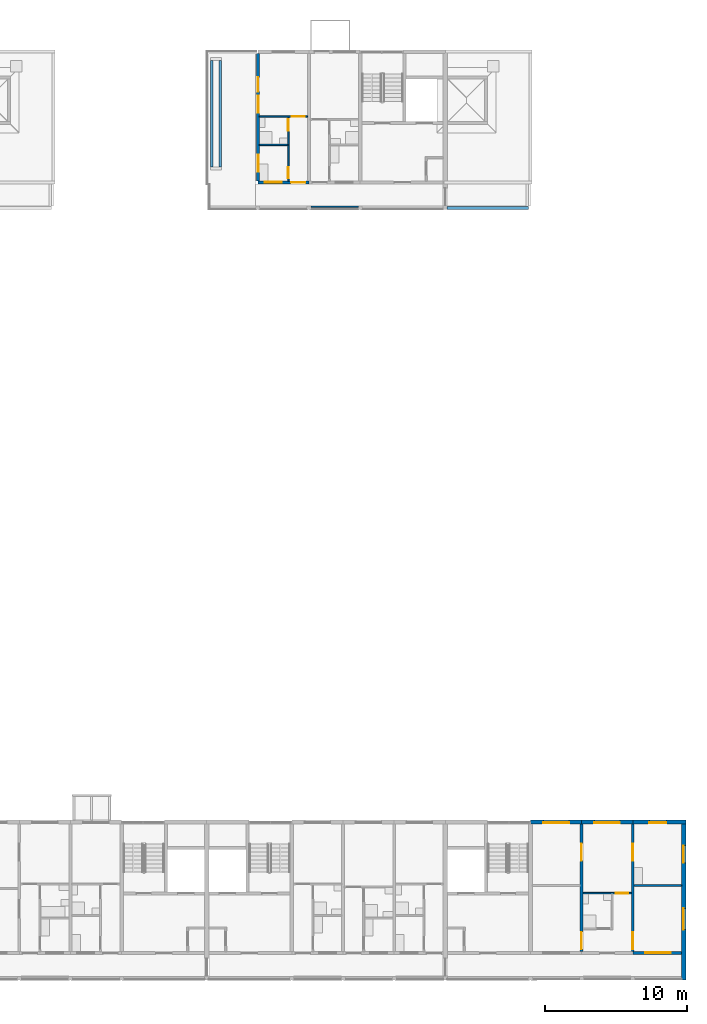
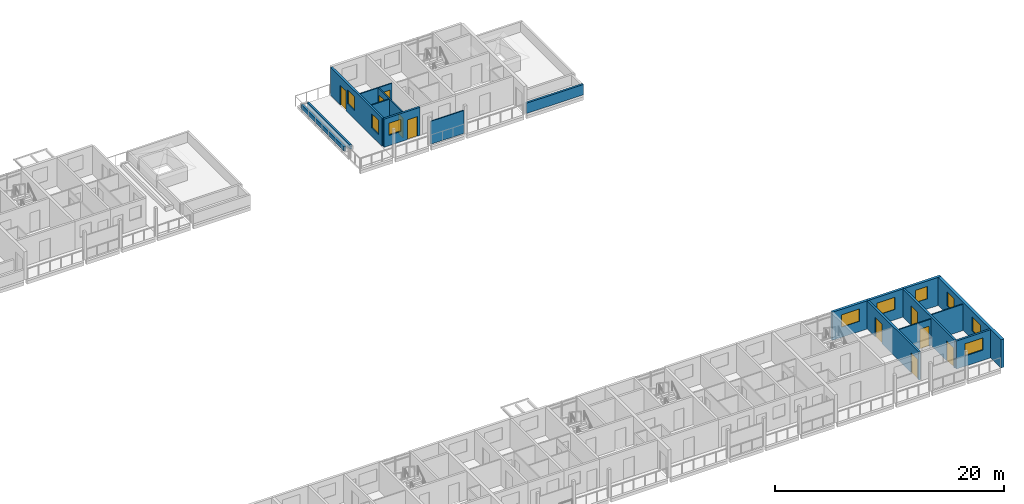
# One storey, part 48 of 78: 18 walls, 10 doors, 9 windows, 19 openings.
"""IFC4 building model written with IfcOpenShell, lengths in metres."""

from ifc_helpers import new_model, si_unit, direction, frame, frame_2d, origin, place, context, subcontext, project, spatial, rectangle, extrude, material, layer, layer_set, type_object, element, fill, save


model = new_model("IFC4")

# Units and contexts
model_context = context("Model", 3, precision=1e-05, world=origin(), true_north=direction((0.0, 1.0)))
body_context = subcontext(model_context, "Body", "Model", "MODEL_VIEW")
ifc_project = project(units=[si_unit("LENGTHUNIT", "METRE"), si_unit("AREAUNIT", "SQUARE_METRE"), si_unit("VOLUMEUNIT", "CUBIC_METRE"), si_unit("PLANEANGLEUNIT", "RADIAN"), si_unit("MASSUNIT", "GRAM", prefix="KILO")], contexts=[model_context])

# Site, building, storey
site_placement = place(None, origin())
site = spatial("IfcSite", under=ifc_project, at=site_placement, CompositionType="ELEMENT")
building_placement = place(site_placement, origin())
building = spatial("IfcBuilding", under=site, at=building_placement, Name="Ridgestep Commons", CompositionType="ELEMENT")
storey_placement = place(building_placement, frame((0.0, 0.0, 30.0)))
storey = spatial("IfcBuildingStorey", under=building, at=storey_placement, Name="L10", CompositionType="ELEMENT", Elevation=30.0)

# Wall, openings, doors
ifc_material_1 = material(Name="Precast concrete C40/50", Category="concrete")
ifc_layer_1 = layer(ifc_material_1, 0.199951171875)
ifc_layer_set_1 = layer_set([ifc_layer_1], Name="Cross wall 200")
wall_type_1 = type_object("IfcWallType", Name="Cross wall 200", PredefinedType="SHEAR", material=ifc_layer_set_1)
wall_1_placement = place(storey_placement, frame((240.39990234375, 13.75, 0.0), z_axis=(0.0, 0.0, 1.0), x_axis=(0.0, 1.0, 0.0)))
wall_1 = element("IfcWall", 1, at=wall_1_placement, inside=storey, type_object=wall_type_1, Name="Cross wall D-10-2404", PredefinedType="SHEAR", context=body_context, shape_type="SweptSolid", body=[
    extrude(rectangle(XDim=9.0, YDim=0.199951171875, at=frame_2d((4.5, 0.0))), origin(), (0.0, 0.0, 1.0), 3.0),
])
opening_1_placement = place(wall_1_placement, frame((0.175048828125, 0.0, 0.0)))
opening_1 = element("IfcOpeningElement", 2, at=opening_1_placement, cuts=wall_1, Name="Opening D6-10a/4", PredefinedType="OPENING", context=body_context, shape_type="SweptSolid", body=[
    extrude(rectangle(XDim=1.199951171875, YDim=2.10009765625, at=frame_2d((0.60009765625, 1.050048828125))), frame((0.0, 0.10986328125, 0.0), z_axis=(0.0, -1.0, 0.0), x_axis=(1.0, 0.0, 0.0)), (0.0, 0.0, 1.0), 0.219970703125),
])
opening_2_placement = place(wall_1_placement, frame((6.39990234375, 0.0, 0.0)))
opening_2 = element("IfcOpeningElement", 3, at=opening_2_placement, cuts=wall_1, Name="Opening D6-10a/5", PredefinedType="OPENING", context=body_context, shape_type="SweptSolid", body=[
    extrude(rectangle(XDim=1.199951171875, YDim=2.10009765625, at=frame_2d((0.60009765625, 1.050048828125))), frame((0.0, 0.10986328125, 0.0), z_axis=(0.0, -1.0, 0.0), x_axis=(1.0, 0.0, 0.0)), (0.0, 0.0, 1.0), 0.219970703125),
])
ifc_material_2 = material(Name="Timber door leaf", Category="wood")
door_type_1 = type_object("IfcDoorType", Name="Double door 1200 x 2100", OperationType="DOUBLE_DOOR_SINGLE_SWING", PredefinedType="DOOR", material=ifc_material_2)
door_1_placement = place(opening_1_placement, origin())
door_1 = element("IfcDoor", 4, at=door_1_placement, inside=storey, type_object=door_type_1, Name="Double door D6-10a/4", OperationType="DOUBLE_DOOR_SINGLE_SWING", OverallHeight=2.10009765625, OverallWidth=1.199951171875, PredefinedType="DOOR", context=body_context, shape_type="SweptSolid", body=[
    extrude(rectangle(XDim=1.199951171875, YDim=2.10009765625, at=frame_2d((0.60009765625, 1.050048828125))), frame((0.0, 0.02490234375, 0.0), z_axis=(0.0, -1.0, 0.0), x_axis=(1.0, 0.0, 0.0)), (0.0, 0.0, 1.0), 0.050048828125),
])
fill(opening_1, door_1)
door_2_placement = place(opening_2_placement, origin())
door_2 = element("IfcDoor", 5, at=door_2_placement, inside=storey, type_object=door_type_1, Name="Double door D6-10a/5", OperationType="DOUBLE_DOOR_SINGLE_SWING", OverallHeight=2.10009765625, OverallWidth=1.199951171875, PredefinedType="DOOR", context=body_context, shape_type="SweptSolid", body=[
    extrude(rectangle(XDim=1.199951171875, YDim=2.10009765625, at=frame_2d((0.60009765625, 1.050048828125))), frame((0.0, 0.02490234375, 0.0), z_axis=(0.0, -1.0, 0.0), x_axis=(1.0, 0.0, 0.0)), (0.0, 0.0, 1.0), 0.050048828125),
])
fill(opening_2, door_2)

wall_2_placement = place(storey_placement, frame((244.0, 13.75, 0.0), z_axis=(0.0, 0.0, 1.0), x_axis=(0.0, 1.0, 0.0)))
wall_2 = element("IfcWall", 6, at=wall_2_placement, inside=storey, type_object=wall_type_1, Name="Cross wall D-10-2440", PredefinedType="SHEAR", context=body_context, shape_type="SweptSolid", body=[
    extrude(rectangle(XDim=9.0, YDim=0.199951171875, at=frame_2d((4.5, 0.0))), origin(), (0.0, 0.0, 1.0), 3.0),
])
opening_3_placement = place(wall_2_placement, frame((0.175048828125, 0.0, 0.0)))
opening_3 = element("IfcOpeningElement", 7, at=opening_3_placement, cuts=wall_2, Name="Opening D6-10a/6", PredefinedType="OPENING", context=body_context, shape_type="SweptSolid", body=[
    extrude(rectangle(XDim=1.199951171875, YDim=2.10009765625, at=frame_2d((0.60009765625, 1.050048828125))), frame((0.0, 0.10986328125, 0.0), z_axis=(0.0, -1.0, 0.0), x_axis=(1.0, 0.0, 0.0)), (0.0, 0.0, 1.0), 0.219970703125),
])
opening_4_placement = place(wall_2_placement, frame((6.39990234375, 0.0, 0.0)))
opening_4 = element("IfcOpeningElement", 8, at=opening_4_placement, cuts=wall_2, Name="Opening D6-10a/7", PredefinedType="OPENING", context=body_context, shape_type="SweptSolid", body=[
    extrude(rectangle(XDim=1.199951171875, YDim=2.10009765625, at=frame_2d((0.60009765625, 1.050048828125))), frame((0.0, 0.10986328125, 0.0), z_axis=(0.0, -1.0, 0.0), x_axis=(1.0, 0.0, 0.0)), (0.0, 0.0, 1.0), 0.219970703125),
])
door_3_placement = place(opening_3_placement, origin())
door_3 = element("IfcDoor", 9, at=door_3_placement, inside=storey, type_object=door_type_1, Name="Double door D6-10a/6", OperationType="DOUBLE_DOOR_SINGLE_SWING", OverallHeight=2.10009765625, OverallWidth=1.199951171875, PredefinedType="DOOR", context=body_context, shape_type="SweptSolid", body=[
    extrude(rectangle(XDim=1.199951171875, YDim=2.10009765625, at=frame_2d((0.60009765625, 1.050048828125))), frame((0.0, 0.02490234375, 0.0), z_axis=(0.0, -1.0, 0.0), x_axis=(1.0, 0.0, 0.0)), (0.0, 0.0, 1.0), 0.050048828125),
])
fill(opening_3, door_3)
door_4_placement = place(opening_4_placement, origin())
door_4 = element("IfcDoor", 10, at=door_4_placement, inside=storey, type_object=door_type_1, Name="Double door D6-10a/7", OperationType="DOUBLE_DOOR_SINGLE_SWING", OverallHeight=2.10009765625, OverallWidth=1.199951171875, PredefinedType="DOOR", context=body_context, shape_type="SweptSolid", body=[
    extrude(rectangle(XDim=1.199951171875, YDim=2.10009765625, at=frame_2d((0.60009765625, 1.050048828125))), frame((0.0, 0.02490234375, 0.0), z_axis=(0.0, -1.0, 0.0), x_axis=(1.0, 0.0, 0.0)), (0.0, 0.0, 1.0), 0.050048828125),
])
fill(opening_4, door_4)

# Wall, openings, windows, door
ifc_material_3 = material(Name="Precast concrete C40/50", Category="concrete")
ifc_layer_2 = layer(ifc_material_3, 0.199951171875)
ifc_layer_set_2 = layer_set([ifc_layer_2], Name="Exposed cross wall 200")
wall_type_2 = type_object("IfcWallType", Name="Exposed cross wall 200", PredefinedType="SHEAR", material=ifc_layer_set_2)
wall_3_placement = place(storey_placement, frame((217.60009765625, 68.0, 0.0), z_axis=(0.0, 0.0, 1.0), x_axis=(0.0, 1.0, 0.0)))
wall_3 = element("IfcWall", 11, at=wall_3_placement, inside=storey, type_object=wall_type_2, Name="Cross wall C-10-2176", PredefinedType="SHEAR", context=body_context, shape_type="SweptSolid", body=[
    extrude(rectangle(XDim=9.0, YDim=0.199951171875, at=frame_2d((4.5, 0.0))), origin(), (0.0, 0.0, 1.0), 3.0),
])
opening_5_placement = place(wall_3_placement, frame((0.64990234375, 0.0, 0.89990234375)))
opening_5 = element("IfcOpeningElement", 12, at=opening_5_placement, cuts=wall_3, Name="Opening W10", PredefinedType="OPENING", context=body_context, shape_type="SweptSolid", body=[
    extrude(rectangle(XDim=1.199951171875, YDim=1.5, at=frame_2d((0.60009765625, 0.75))), frame((0.0, 0.10986328125, 0.0), z_axis=(0.0, -1.0, 0.0), x_axis=(1.0, 0.0, 0.0)), (0.0, 0.0, 1.0), 0.219970703125),
])
opening_6_placement = place(wall_3_placement, frame((4.8076171875, 0.0, 0.89990234375)))
opening_6 = element("IfcOpeningElement", 13, at=opening_6_placement, cuts=wall_3, Name="Opening W10", PredefinedType="OPENING", context=body_context, shape_type="SweptSolid", body=[
    extrude(rectangle(XDim=1.199951171875, YDim=1.5, at=frame_2d((0.60009765625, 0.75))), frame((0.0, 0.10986328125, 0.0), z_axis=(0.0, -1.0, 0.0), x_axis=(1.0, 0.0, 0.0)), (0.0, 0.0, 1.0), 0.219970703125),
])
opening_7_placement = place(wall_3_placement, frame((6.304931640625, 0.0, 0.0)))
opening_7 = element("IfcOpeningElement", 14, at=opening_7_placement, cuts=wall_3, Name="Opening C5-10a/5", PredefinedType="OPENING", context=body_context, shape_type="SweptSolid", body=[
    extrude(rectangle(XDim=1.0, YDim=2.10009765625, at=frame_2d((0.5, 1.050048828125))), frame((0.0, 0.10986328125, 0.0), z_axis=(0.0, -1.0, 0.0), x_axis=(1.0, 0.0, 0.0)), (0.0, 0.0, 1.0), 0.219970703125),
])
ifc_material_4 = material(Name="Aluminium 6063-T6 and glass", Category="aluminium")
window_type_1 = type_object("IfcWindowType", Name="Flat window 1200 x 1500", PartitioningType="SINGLE_PANEL", PredefinedType="WINDOW", material=ifc_material_4)
window_1_placement = place(opening_5_placement, origin())
window_1 = element("IfcWindow", 15, at=window_1_placement, inside=storey, type_object=window_type_1, Name="Window C5-10a 3", OverallHeight=1.5, OverallWidth=1.199951171875, PartitioningType="SINGLE_PANEL", PredefinedType="WINDOW", context=body_context, shape_type="SweptSolid", body=[
    extrude(rectangle(XDim=1.199951171875, YDim=1.5, at=frame_2d((0.60009765625, 0.75))), frame((0.0, 0.0, 0.0), z_axis=(0.0, -1.0, 0.0), x_axis=(1.0, 0.0, 0.0)), (0.0, 0.0, 1.0), 0.06005859375),
])
fill(opening_5, window_1)
window_2_placement = place(opening_6_placement, origin())
window_2 = element("IfcWindow", 16, at=window_2_placement, inside=storey, type_object=window_type_1, Name="Window C5-10a 4", OverallHeight=1.5, OverallWidth=1.199951171875, PartitioningType="SINGLE_PANEL", PredefinedType="WINDOW", context=body_context, shape_type="SweptSolid", body=[
    extrude(rectangle(XDim=1.199951171875, YDim=1.5, at=frame_2d((0.60009765625, 0.75))), frame((0.0, 0.0, 0.0), z_axis=(0.0, -1.0, 0.0), x_axis=(1.0, 0.0, 0.0)), (0.0, 0.0, 1.0), 0.06005859375),
])
fill(opening_6, window_2)
ifc_material_5 = material(Name="Aluminium and glass", Category="aluminium")
door_type_2 = type_object("IfcDoorType", Name="Terrace door 1000 x 2100", OperationType="NOTDEFINED", PredefinedType="DOOR", material=ifc_material_5)
door_5_placement = place(opening_7_placement, origin())
door_5 = element("IfcDoor", 17, at=door_5_placement, inside=storey, type_object=door_type_2, Name="Terrace door C5-10a/5", OperationType="SINGLE_SWING_RIGHT", OverallHeight=2.10009765625, OverallWidth=1.0, PredefinedType="DOOR", context=body_context, shape_type="SweptSolid", body=[
    extrude(rectangle(XDim=1.0, YDim=2.10009765625, at=frame_2d((0.5, 1.050048828125))), frame((0.0, 0.02490234375, 0.0), z_axis=(0.0, -1.0, 0.0), x_axis=(1.0, 0.0, 0.0)), (0.0, 0.0, 1.0), 0.050048828125),
])
fill(opening_7, door_5)

# Wall, openings, windows
ifc_material_6 = material(Name="Precast concrete C40/50", Category="concrete")
ifc_layer_3 = layer(ifc_material_6, 0.300048828125)
ifc_layer_set_3 = layer_set([ifc_layer_3], Name="Exposed division wall 300")
wall_type_3 = type_object("IfcWallType", Name="Exposed division wall 300", PredefinedType="SHEAR", material=ifc_layer_set_3)
wall_4_placement = place(storey_placement, frame((247.60009765625, 11.75, 0.0), z_axis=(0.0, 0.0, 1.0), x_axis=(0.0, 1.0, 0.0)))
wall_4 = element("IfcWall", 18, at=wall_4_placement, inside=storey, type_object=wall_type_3, Name="Cross wall D-10-2476", PredefinedType="SHEAR", context=body_context, shape_type="SweptSolid", body=[
    extrude(rectangle(XDim=11.0, YDim=0.300048828125, at=frame_2d((5.5, 0.0))), origin(), (0.0, 0.0, 1.0), 3.0),
])
opening_8_placement = place(wall_4_placement, frame((3.550048828125, 0.0, 0.89990234375)))
opening_8 = element("IfcOpeningElement", 19, at=opening_8_placement, cuts=wall_4, Name="Opening W16", PredefinedType="OPENING", context=body_context, shape_type="SweptSolid", body=[
    extrude(rectangle(XDim=1.5, YDim=1.5, at=frame_2d((0.75, 0.75))), frame((0.0, 0.159912109375, 0.0), z_axis=(0.0, -1.0, 0.0), x_axis=(1.0, 0.0, 0.0)), (0.0, 0.0, 1.0), 0.320068359375),
])
opening_9_placement = place(wall_4_placement, frame((8.2548828125, 0.0, 0.89990234375)))
opening_9 = element("IfcOpeningElement", 20, at=opening_9_placement, cuts=wall_4, Name="Opening W10", PredefinedType="OPENING", context=body_context, shape_type="SweptSolid", body=[
    extrude(rectangle(XDim=1.199951171875, YDim=1.5, at=frame_2d((0.60009765625, 0.75))), frame((0.0, 0.159912109375, 0.0), z_axis=(0.0, -1.0, 0.0), x_axis=(1.0, 0.0, 0.0)), (0.0, 0.0, 1.0), 0.320068359375),
])
window_3_placement = place(opening_9_placement, origin())
window_3 = element("IfcWindow", 21, at=window_3_placement, inside=storey, type_object=window_type_1, Name="Window D6-10a 7", OverallHeight=1.5, OverallWidth=1.199951171875, PartitioningType="SINGLE_PANEL", PredefinedType="WINDOW", context=body_context, shape_type="SweptSolid", body=[
    extrude(rectangle(XDim=1.199951171875, YDim=1.5, at=frame_2d((0.60009765625, 0.75))), frame((0.0, 0.06005859375, 0.0), z_axis=(0.0, -1.0, 0.0), x_axis=(1.0, 0.0, 0.0)), (0.0, 0.0, 1.0), 0.06005859375),
])
fill(opening_9, window_3)
ifc_material_7 = material(Name="Aluminium 6063-T6 and glass", Category="aluminium")
window_type_2 = type_object("IfcWindowType", Name="Flat window 1500 x 1500", PartitioningType="DOUBLE_PANEL_VERTICAL", PredefinedType="WINDOW", material=ifc_material_7)
window_4_placement = place(opening_8_placement, origin())
window_4 = element("IfcWindow", 22, at=window_4_placement, inside=storey, type_object=window_type_2, Name="Window D6-10a 6", OverallHeight=1.5, OverallWidth=1.5, PartitioningType="SINGLE_PANEL", PredefinedType="WINDOW", context=body_context, shape_type="SweptSolid", body=[
    extrude(rectangle(XDim=1.5, YDim=1.5, at=frame_2d((0.75, 0.75))), frame((0.0, 0.06005859375, 0.0), z_axis=(0.0, -1.0, 0.0), x_axis=(1.0, 0.0, 0.0)), (0.0, 0.0, 1.0), 0.06005859375),
])
fill(opening_8, window_4)

# Wall, opening, window
ifc_material_8 = material(Name="Precast concrete C40/50", Category="concrete")
ifc_layer_4 = layer(ifc_material_8, 0.25)
ifc_layer_set_4 = layer_set([ifc_layer_4], Name="North facade panel 250")
wall_type_4 = type_object("IfcWallType", Name="North facade panel 250", PredefinedType="SOLIDWALL", material=ifc_layer_set_4)
wall_5_placement = place(storey_placement, frame((236.800048828125, 22.875, 0.0), z_axis=(0.0, 0.0, 1.0), x_axis=(1.0, 0.0, 0.0)))
wall_5 = element("IfcWall", 23, at=wall_5_placement, inside=storey, type_object=wall_type_4, Name="North panel D6T3 L10", PredefinedType="SOLIDWALL", context=body_context, shape_type="SweptSolid", body=[
    extrude(rectangle(XDim=3.599853515625, YDim=0.25, at=frame_2d((1.7998046875, 0.0))), origin(), (0.0, 0.0, 1.0), 3.0),
])
opening_10_placement = place(wall_5_placement, frame((0.91259765625, 0.0, 1.10009765625)))
opening_10 = element("IfcOpeningElement", 24, at=opening_10_placement, cuts=wall_5, Name="Opening W18", PredefinedType="OPENING", context=body_context, shape_type="SweptSolid", body=[
    extrude(rectangle(XDim=1.800048828125, YDim=1.300048828125, at=frame_2d((0.89990234375, 0.64990234375))), frame((0.0, 0.135009765625, 0.0), z_axis=(0.0, -1.0, 0.0), x_axis=(1.0, 0.0, 0.0)), (0.0, 0.0, 1.0), 0.27001953125),
])
ifc_material_9 = material(Name="Aluminium 6063-T6 and glass", Category="aluminium")
window_type_3 = type_object("IfcWindowType", Name="Flat window 1800 x 1300", PartitioningType="DOUBLE_PANEL_VERTICAL", PredefinedType="WINDOW", material=ifc_material_9)
window_5_placement = place(opening_10_placement, origin())
window_5 = element("IfcWindow", 25, at=window_5_placement, inside=storey, type_object=window_type_3, Name="Window D6-10a 2", OverallHeight=1.300048828125, OverallWidth=1.800048828125, PartitioningType="SINGLE_PANEL", PredefinedType="WINDOW", context=body_context, shape_type="SweptSolid", body=[
    extrude(rectangle(XDim=1.800048828125, YDim=1.300048828125, at=frame_2d((0.89990234375, 0.64990234375))), frame((0.0, -0.02490234375, 0.0), z_axis=(0.0, -1.0, 0.0), x_axis=(1.0, 0.0, 0.0)), (0.0, 0.0, 1.0), 0.06005859375),
])
fill(opening_10, window_5)

wall_6_placement = place(storey_placement, frame((240.39990234375, 22.875, 0.0), z_axis=(0.0, 0.0, 1.0), x_axis=(1.0, 0.0, 0.0)))
wall_6 = element("IfcWall", 26, at=wall_6_placement, inside=storey, type_object=wall_type_4, Name="North panel D6T2 L10", PredefinedType="SOLIDWALL", context=body_context, shape_type="SweptSolid", body=[
    extrude(rectangle(XDim=3.60009765625, YDim=0.25, at=frame_2d((1.800048828125, 0.0))), origin(), (0.0, 0.0, 1.0), 3.0),
])
opening_11_placement = place(wall_6_placement, frame((0.89990234375, 0.0, 1.10009765625)))
opening_11 = element("IfcOpeningElement", 27, at=opening_11_placement, cuts=wall_6, Name="Opening W18", PredefinedType="OPENING", context=body_context, shape_type="SweptSolid", body=[
    extrude(rectangle(XDim=1.800048828125, YDim=1.300048828125, at=frame_2d((0.89990234375, 0.64990234375))), frame((0.0, 0.135009765625, 0.0), z_axis=(0.0, -1.0, 0.0), x_axis=(1.0, 0.0, 0.0)), (0.0, 0.0, 1.0), 0.27001953125),
])
window_6_placement = place(opening_11_placement, origin())
window_6 = element("IfcWindow", 28, at=window_6_placement, inside=storey, type_object=window_type_3, Name="Window D6-10a 5", OverallHeight=1.300048828125, OverallWidth=1.800048828125, PartitioningType="SINGLE_PANEL", PredefinedType="WINDOW", context=body_context, shape_type="SweptSolid", body=[
    extrude(rectangle(XDim=1.800048828125, YDim=1.300048828125, at=frame_2d((0.89990234375, 0.64990234375))), frame((0.0, -0.02490234375, 0.0), z_axis=(0.0, -1.0, 0.0), x_axis=(1.0, 0.0, 0.0)), (0.0, 0.0, 1.0), 0.06005859375),
])
fill(opening_11, window_6)

wall_7_placement = place(storey_placement, frame((244.0, 22.875, 0.0), z_axis=(0.0, 0.0, 1.0), x_axis=(1.0, 0.0, 0.0)))
wall_7 = element("IfcWall", 29, at=wall_7_placement, inside=storey, type_object=wall_type_4, Name="North panel D6T1 L10", PredefinedType="SOLIDWALL", context=body_context, shape_type="SweptSolid", body=[
    extrude(rectangle(XDim=3.75, YDim=0.25, at=frame_2d((1.875, 0.0))), origin(), (0.0, 0.0, 1.0), 3.0),
])
opening_12_placement = place(wall_7_placement, frame((1.175048828125, 0.0, 1.10009765625)))
opening_12 = element("IfcOpeningElement", 30, at=opening_12_placement, cuts=wall_7, Name="Opening W08", PredefinedType="OPENING", context=body_context, shape_type="SweptSolid", body=[
    extrude(rectangle(XDim=1.199951171875, YDim=1.300048828125, at=frame_2d((0.60009765625, 0.64990234375))), frame((0.0, 0.135009765625, 0.0), z_axis=(0.0, -1.0, 0.0), x_axis=(1.0, 0.0, 0.0)), (0.0, 0.0, 1.0), 0.27001953125),
])
ifc_material_10 = material(Name="Aluminium 6063-T6 and glass", Category="aluminium")
window_type_4 = type_object("IfcWindowType", Name="Flat window 1200 x 1300", PartitioningType="SINGLE_PANEL", PredefinedType="WINDOW", material=ifc_material_10)
window_7_placement = place(opening_12_placement, origin())
window_7 = element("IfcWindow", 31, at=window_7_placement, inside=storey, type_object=window_type_4, Name="Window D6-10a 4", OverallHeight=1.300048828125, OverallWidth=1.199951171875, PartitioningType="SINGLE_PANEL", PredefinedType="WINDOW", context=body_context, shape_type="SweptSolid", body=[
    extrude(rectangle(XDim=1.199951171875, YDim=1.300048828125, at=frame_2d((0.60009765625, 0.64990234375))), frame((0.0, -0.02490234375, 0.0), z_axis=(0.0, -1.0, 0.0), x_axis=(1.0, 0.0, 0.0)), (0.0, 0.0, 1.0), 0.06005859375),
])
fill(opening_12, window_7)

# Walls
ifc_material_11 = material(Name="Precast concrete C40/50", Category="concrete")
ifc_layer_5 = layer(ifc_material_11, 0.199951171875)
ifc_layer_set_5 = layer_set([ifc_layer_5], Name="Parapet wall 200")
wall_type_5 = type_object("IfcWallType", Name="Parapet wall 200", PredefinedType="PARAPET", material=ifc_layer_set_5)
wall_8_placement = place(storey_placement, frame((230.925048828125, 66.125, 0.0), z_axis=(0.0, 0.0, 1.0), x_axis=(1.0, 0.0, 0.0)))
element("IfcWall", 32, at=wall_8_placement, inside=storey, type_object=wall_type_5, Name="Parapet C6C gallery south", PredefinedType="PARAPET", context=body_context, shape_type="SweptSolid", body=[
    extrude(rectangle(XDim=5.75, YDim=0.199951171875, at=frame_2d((2.875, 0.0))), origin(), (0.0, 0.0, 1.0), 1.10009765625),
])
ifc_material_12 = material(Name="Common brick 110 mm", Category="masonry")
ifc_layer_6 = layer(ifc_material_12, 0.110107421875)
ifc_layer_set_6 = layer_set([ifc_layer_6], Name="Partition 110")
wall_type_6 = type_object("IfcWallType", Name="Partition 110", PredefinedType="PARTITIONING", material=ifc_layer_set_6)
wall_9_placement = place(storey_placement, frame((217.699951171875, 70.554931640625, 0.0), z_axis=(0.0, 0.0, 1.0), x_axis=(1.0, 0.0, 0.0)))
element("IfcWall", 33, at=wall_9_placement, inside=storey, type_object=wall_type_6, Name="Partition C5-10a", PredefinedType="PARTITIONING", context=body_context, shape_type="SweptSolid", body=[
    extrude(rectangle(XDim=1.989990234375, YDim=0.110107421875, at=frame_2d((0.9951171875, 0.0))), origin(), (0.0, 0.0, 1.0), 2.75),
])

# Wall, openings, doors
wall_10_placement = place(storey_placement, frame((219.7451171875, 68.0, 0.0), z_axis=(0.0, 0.0, 1.0), x_axis=(0.0, 1.0, 0.0)))
wall_10 = element("IfcWall", 34, at=wall_10_placement, inside=storey, type_object=wall_type_6, Name="Partition C5-10a", PredefinedType="PARTITIONING", context=body_context, shape_type="SweptSolid", body=[
    extrude(rectangle(XDim=4.5, YDim=0.110107421875, at=frame_2d((2.25, 0.0))), origin(), (0.0, 0.0, 1.0), 2.75),
])
opening_13_placement = place(wall_10_placement, frame((0.199951171875, 0.0, 0.0)))
opening_13 = element("IfcOpeningElement", 35, at=opening_13_placement, cuts=wall_10, Name="Opening C5-10a/2", PredefinedType="OPENING", context=body_context, shape_type="SweptSolid", body=[
    extrude(rectangle(XDim=0.800048828125, YDim=2.10009765625, at=frame_2d((0.39990234375, 1.050048828125))), frame((0.0, 0.06494140625, 0.0), z_axis=(0.0, -1.0, 0.0), x_axis=(1.0, 0.0, 0.0)), (0.0, 0.0, 1.0), 0.130126953125),
])
opening_14_placement = place(wall_10_placement, frame((3.550048828125, 0.0, 0.0)))
opening_14 = element("IfcOpeningElement", 36, at=opening_14_placement, cuts=wall_10, Name="Opening C5-10a/3", PredefinedType="OPENING", context=body_context, shape_type="SweptSolid", body=[
    extrude(rectangle(XDim=0.800048828125, YDim=2.10009765625, at=frame_2d((0.39990234375, 1.050048828125))), frame((0.0, 0.06494140625, 0.0), z_axis=(0.0, -1.0, 0.0), x_axis=(1.0, 0.0, 0.0)), (0.0, 0.0, 1.0), 0.130126953125),
])
ifc_material_13 = material(Name="Timber door leaf", Category="wood")
door_type_3 = type_object("IfcDoorType", Name="Internal door 800 x 2100", OperationType="NOTDEFINED", PredefinedType="DOOR", material=ifc_material_13)
door_6_placement = place(opening_13_placement, origin())
door_6 = element("IfcDoor", 37, at=door_6_placement, inside=storey, type_object=door_type_3, Name="Internal door C5-10a/2", OperationType="SINGLE_SWING_LEFT", OverallHeight=2.10009765625, OverallWidth=0.800048828125, PredefinedType="DOOR", context=body_context, shape_type="SweptSolid", body=[
    extrude(rectangle(XDim=0.800048828125, YDim=2.10009765625, at=frame_2d((0.39990234375, 1.050048828125))), frame((0.0, 0.02490234375, 0.0), z_axis=(0.0, -1.0, 0.0), x_axis=(1.0, 0.0, 0.0)), (0.0, 0.0, 1.0), 0.050048828125),
])
fill(opening_13, door_6)
door_7_placement = place(opening_14_placement, origin())
door_7 = element("IfcDoor", 38, at=door_7_placement, inside=storey, type_object=door_type_3, Name="Internal door C5-10a/3", OperationType="SINGLE_SWING_RIGHT", OverallHeight=2.10009765625, OverallWidth=0.800048828125, PredefinedType="DOOR", context=body_context, shape_type="SweptSolid", body=[
    extrude(rectangle(XDim=0.800048828125, YDim=2.10009765625, at=frame_2d((0.39990234375, 1.050048828125))), frame((0.0, 0.02490234375, 0.0), z_axis=(0.0, -1.0, 0.0), x_axis=(1.0, 0.0, 0.0)), (0.0, 0.0, 1.0), 0.050048828125),
])
fill(opening_14, door_7)

# Wall, opening, door
wall_11_placement = place(storey_placement, frame((217.699951171875, 72.554931640625, 0.0), z_axis=(0.0, 0.0, 1.0), x_axis=(1.0, 0.0, 0.0)))
wall_11 = element("IfcWall", 39, at=wall_11_placement, inside=storey, type_object=wall_type_6, Name="Partition C5-10a", PredefinedType="PARTITIONING", context=body_context, shape_type="SweptSolid", body=[
    extrude(rectangle(XDim=3.400146484375, YDim=0.110107421875, at=frame_2d((1.7001953125, 0.0))), origin(), (0.0, 0.0, 1.0), 2.75),
])
opening_15_placement = place(wall_11_placement, frame((2.300048828125, 0.0, 0.0)))
opening_15 = element("IfcOpeningElement", 40, at=opening_15_placement, cuts=wall_11, Name="Opening C5-10a/4", PredefinedType="OPENING", context=body_context, shape_type="SweptSolid", body=[
    extrude(rectangle(XDim=0.89990234375, YDim=2.10009765625, at=frame_2d((0.449951171875, 1.050048828125))), frame((0.0, 0.06494140625, 0.0), z_axis=(0.0, -1.0, 0.0), x_axis=(1.0, 0.0, 0.0)), (0.0, 0.0, 1.0), 0.130126953125),
])
ifc_material_14 = material(Name="Timber door leaf", Category="wood")
door_type_4 = type_object("IfcDoorType", Name="Internal door 900 x 2100", OperationType="NOTDEFINED", PredefinedType="DOOR", material=ifc_material_14)
door_8_placement = place(opening_15_placement, origin())
door_8 = element("IfcDoor", 41, at=door_8_placement, inside=storey, type_object=door_type_4, Name="Internal door C5-10a/4", OperationType="SINGLE_SWING_LEFT", OverallHeight=2.10009765625, OverallWidth=0.89990234375, PredefinedType="DOOR", context=body_context, shape_type="SweptSolid", body=[
    extrude(rectangle(XDim=0.89990234375, YDim=2.10009765625, at=frame_2d((0.449951171875, 1.050048828125))), frame((0.0, 0.02490234375, 0.0), z_axis=(0.0, -1.0, 0.0), x_axis=(1.0, 0.0, 0.0)), (0.0, 0.0, 1.0), 0.050048828125),
])
fill(opening_15, door_8)

wall_12_placement = place(storey_placement, frame((240.5, 17.864990234375, 0.0), z_axis=(0.0, 0.0, 1.0), x_axis=(1.0, 0.0, 0.0)))
wall_12 = element("IfcWall", 42, at=wall_12_placement, inside=storey, type_object=wall_type_6, Name="Partition D6-10a", PredefinedType="PARTITIONING", context=body_context, shape_type="SweptSolid", body=[
    extrude(rectangle(XDim=3.39990234375, YDim=0.110107421875, at=frame_2d((1.699951171875, 0.0))), origin(), (0.0, 0.0, 1.0), 2.800048828125),
])
opening_16_placement = place(wall_12_placement, frame((2.300048828125, 0.0, 0.0)))
opening_16 = element("IfcOpeningElement", 43, at=opening_16_placement, cuts=wall_12, Name="Opening D6-10a/3", PredefinedType="OPENING", context=body_context, shape_type="SweptSolid", body=[
    extrude(rectangle(XDim=0.89990234375, YDim=2.10009765625, at=frame_2d((0.449951171875, 1.050048828125))), frame((0.0, 0.06494140625, 0.0), z_axis=(0.0, -1.0, 0.0), x_axis=(1.0, 0.0, 0.0)), (0.0, 0.0, 1.0), 0.130126953125),
])
door_9_placement = place(opening_16_placement, origin())
door_9 = element("IfcDoor", 44, at=door_9_placement, inside=storey, type_object=door_type_4, Name="Internal door D6-10a/3", OperationType="SINGLE_SWING_LEFT", OverallHeight=2.10009765625, OverallWidth=0.89990234375, PredefinedType="DOOR", context=body_context, shape_type="SweptSolid", body=[
    extrude(rectangle(XDim=0.89990234375, YDim=2.10009765625, at=frame_2d((0.449951171875, 1.050048828125))), frame((0.0, 0.02490234375, 0.0), z_axis=(0.0, -1.0, 0.0), x_axis=(1.0, 0.0, 0.0)), (0.0, 0.0, 1.0), 0.050048828125),
])
fill(opening_16, door_9)

# Walls
wall_13_placement = place(storey_placement, frame((244.10009765625, 18.405029296875, 0.0), z_axis=(0.0, 0.0, 1.0), x_axis=(1.0, 0.0, 0.0)))
element("IfcWall", 45, at=wall_13_placement, inside=storey, type_object=wall_type_6, Name="Partition D6-10a", PredefinedType="PARTITIONING", context=body_context, shape_type="SweptSolid", body=[
    extrude(rectangle(XDim=3.349853515625, YDim=0.110107421875, at=frame_2d((1.6748046875, 0.0))), origin(), (0.0, 0.0, 1.0), 2.800048828125),
])
ifc_material_15 = material(Name="Precast concrete C30/37", Category="concrete")
ifc_layer_7 = layer(ifc_material_15, 0.10009765625)
ifc_layer_set_7 = layer_set([ifc_layer_7], Name="Perforated gallery screen 3350 x 2450 x 100")
wall_type_7 = type_object("IfcWallType", Name="Perforated gallery screen 3350 x 2450 x 100", PredefinedType="SOLIDWALL", material=ifc_layer_set_7)
wall_14_placement = place(storey_placement, frame((221.324951171875, 66.199951171875, 0.0), z_axis=(0.0, 0.0, 1.0), x_axis=(1.0, 0.0, 0.0)))
element("IfcWall", 46, at=wall_14_placement, inside=storey, type_object=wall_type_7, Name="Gallery screen C5T3 10", PredefinedType="SOLIDWALL", context=body_context, shape_type="SweptSolid", body=[
    extrude(rectangle(XDim=3.35009765625, YDim=0.10009765625, at=frame_2d((1.675048828125, 0.0))), origin(), (0.0, 0.0, 1.0), 2.449951171875),
])
ifc_material_16 = material(Name="Facing brick", Category="masonry")
ifc_layer_8 = layer(ifc_material_16, 0.199951171875)
ifc_layer_set_8 = layer_set([ifc_layer_8], Name="Planter wall 200")
wall_type_8 = type_object("IfcWallType", Name="Planter wall 200", PredefinedType="SOLIDWALL", material=ifc_layer_set_8)
for number, where, z_axis, x_axis, name in (
    (47, (214.35009765625, 69.0, 0.010009765625), (0.0, 0.0, 1.0), (0.0, 1.0, 0.0), "Planter wall C5R1W"),
    (48, (214.949951171875, 69.0, 0.010009765625), (0.0, 0.0, 1.0), (0.0, 1.0, 0.0), "Planter wall C5R1E"),
):
    element("IfcWall", number, at=place(storey_placement, frame(where, z_axis=z_axis, x_axis=x_axis)), inside=storey, type_object=wall_type_8, Name=name, PredefinedType="SOLIDWALL", context=body_context, shape_type="SweptSolid", body=[
        extrude(rectangle(XDim=7.5, YDim=0.199951171875, at=frame_2d((3.75, 0.0))), origin(), (0.0, 0.0, 1.0), 0.449951171875),
    ])

# Wall, openings, door, window
ifc_material_17 = material(Name="Precast concrete C40/50", Category="concrete")
ifc_layer_9 = layer(ifc_material_17, 0.199951171875)
ifc_layer_set_9 = layer_set([ifc_layer_9], Name="South facade panel 200")
wall_type_9 = type_object("IfcWallType", Name="South facade panel 200", PredefinedType="SOLIDWALL", material=ifc_layer_set_9)
wall_15_placement = place(storey_placement, frame((217.60009765625, 67.89990234375, 0.0), z_axis=(0.0, 0.0, 1.0), x_axis=(1.0, 0.0, 0.0)))
wall_15 = element("IfcWall", 49, at=wall_15_placement, inside=storey, type_object=wall_type_9, Name="South panel C5T2 L10", PredefinedType="SOLIDWALL", context=body_context, shape_type="SweptSolid", body=[
    extrude(rectangle(XDim=3.599853515625, YDim=0.199951171875, at=frame_2d((1.7998046875, 0.0))), origin(), (0.0, 0.0, 1.0), 3.0),
])
opening_17_placement = place(wall_15_placement, frame((0.4951171875, 0.0, 1.10009765625)))
opening_17 = element("IfcOpeningElement", 50, at=opening_17_placement, cuts=wall_15, Name="Opening W08", PredefinedType="OPENING", context=body_context, shape_type="SweptSolid", body=[
    extrude(rectangle(XDim=1.199951171875, YDim=1.300048828125, at=frame_2d((0.60009765625, 0.64990234375))), frame((0.0, 0.10986328125, 0.0), z_axis=(0.0, -1.0, 0.0), x_axis=(1.0, 0.0, 0.0)), (0.0, 0.0, 1.0), 0.219970703125),
])
opening_18_placement = place(wall_15_placement, frame((2.35009765625, 0.0, 0.0)))
opening_18 = element("IfcOpeningElement", 51, at=opening_18_placement, cuts=wall_15, Name="Opening C5-10a/1", PredefinedType="OPENING", context=body_context, shape_type="SweptSolid", body=[
    extrude(rectangle(XDim=1.0, YDim=2.10009765625, at=frame_2d((0.5, 1.050048828125))), frame((0.0, 0.10986328125, 0.0), z_axis=(0.0, -1.0, 0.0), x_axis=(1.0, 0.0, 0.0)), (0.0, 0.0, 1.0), 0.219970703125),
])
ifc_material_18 = material(Name="Timber door leaf", Category="wood")
door_type_5 = type_object("IfcDoorType", Name="Flat entrance door 1000 x 2100 FD30S", OperationType="NOTDEFINED", PredefinedType="DOOR", material=ifc_material_18)
door_10_placement = place(opening_18_placement, origin())
door_10 = element("IfcDoor", 52, at=door_10_placement, inside=storey, type_object=door_type_5, Name="Flat entrance door C5-10a/1", OperationType="SINGLE_SWING_RIGHT", OverallHeight=2.10009765625, OverallWidth=1.0, PredefinedType="DOOR", context=body_context, shape_type="SweptSolid", body=[
    extrude(rectangle(XDim=1.0, YDim=2.10009765625, at=frame_2d((0.5, 1.050048828125))), frame((0.0, 0.02490234375, 0.0), z_axis=(0.0, -1.0, 0.0), x_axis=(1.0, 0.0, 0.0)), (0.0, 0.0, 1.0), 0.050048828125),
])
fill(opening_18, door_10)
window_8_placement = place(opening_17_placement, origin())
window_8 = element("IfcWindow", 53, at=window_8_placement, inside=storey, type_object=window_type_4, Name="Window C5-10a 1", OverallHeight=1.300048828125, OverallWidth=1.199951171875, PartitioningType="SINGLE_PANEL", PredefinedType="WINDOW", context=body_context, shape_type="SweptSolid", body=[
    extrude(rectangle(XDim=1.199951171875, YDim=1.300048828125, at=frame_2d((0.60009765625, 0.64990234375))), frame((0.0, 0.06005859375, 0.0), z_axis=(0.0, -1.0, 0.0), x_axis=(1.0, 0.0, 0.0)), (0.0, 0.0, 1.0), 0.06005859375),
])
fill(opening_17, window_8)

# Wall, opening, window
wall_16_placement = place(storey_placement, frame((244.0, 13.64990234375, 0.0), z_axis=(0.0, 0.0, 1.0), x_axis=(1.0, 0.0, 0.0)))
wall_16 = element("IfcWall", 54, at=wall_16_placement, inside=storey, type_object=wall_type_9, Name="South panel D6T1 L10", PredefinedType="SOLIDWALL", context=body_context, shape_type="SweptSolid", body=[
    extrude(rectangle(XDim=3.449951171875, YDim=0.199951171875, at=frame_2d((1.72509765625, 0.0))), origin(), (0.0, 0.0, 1.0), 3.0),
])
opening_19_placement = place(wall_16_placement, frame((0.875, 0.0, 1.10009765625)))
opening_19 = element("IfcOpeningElement", 55, at=opening_19_placement, cuts=wall_16, Name="Opening W18", PredefinedType="OPENING", context=body_context, shape_type="SweptSolid", body=[
    extrude(rectangle(XDim=1.800048828125, YDim=1.300048828125, at=frame_2d((0.89990234375, 0.64990234375))), frame((0.0, 0.10986328125, 0.0), z_axis=(0.0, -1.0, 0.0), x_axis=(1.0, 0.0, 0.0)), (0.0, 0.0, 1.0), 0.219970703125),
])
window_9_placement = place(opening_19_placement, origin())
window_9 = element("IfcWindow", 56, at=window_9_placement, inside=storey, type_object=window_type_3, Name="Window D6-10a 3", OverallHeight=1.300048828125, OverallWidth=1.800048828125, PartitioningType="SINGLE_PANEL", PredefinedType="WINDOW", context=body_context, shape_type="SweptSolid", body=[
    extrude(rectangle(XDim=1.800048828125, YDim=1.300048828125, at=frame_2d((0.89990234375, 0.64990234375))), frame((0.0, 0.06005859375, 0.0), z_axis=(0.0, -1.0, 0.0), x_axis=(1.0, 0.0, 0.0)), (0.0, 0.0, 1.0), 0.06005859375),
])
fill(opening_19, window_9)

save(model, "model.ifc")
